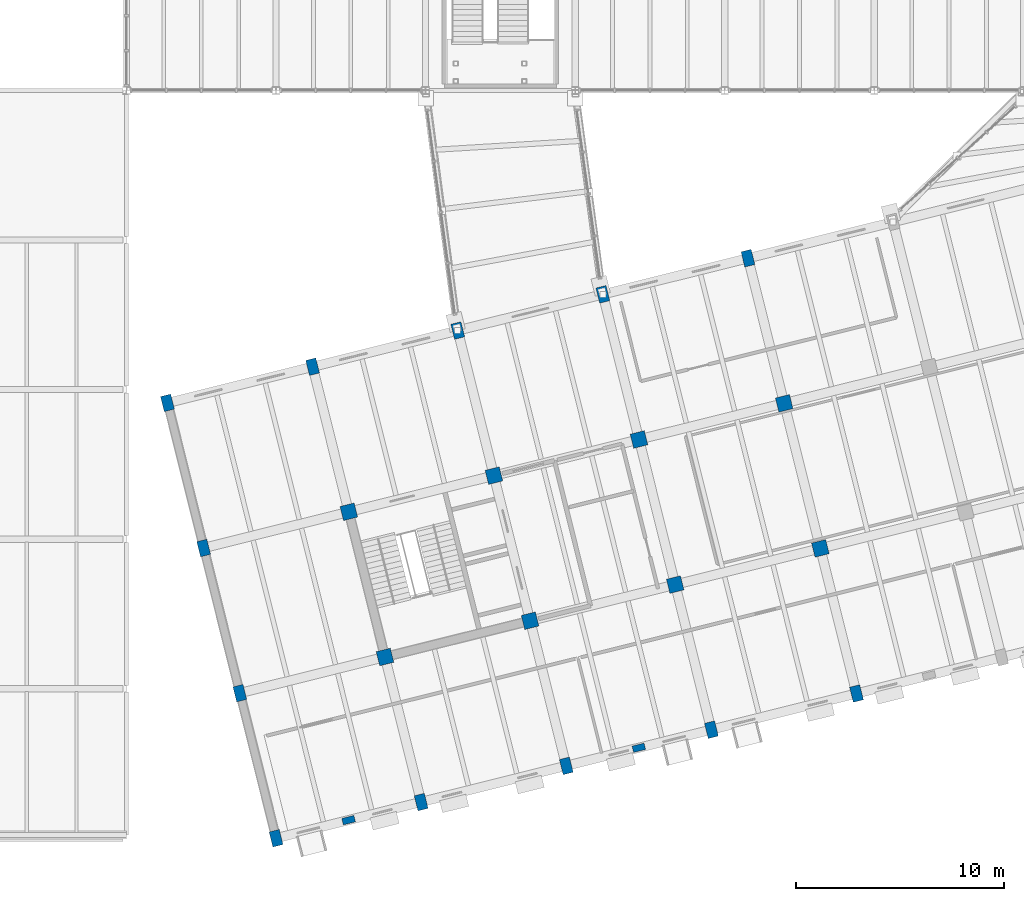
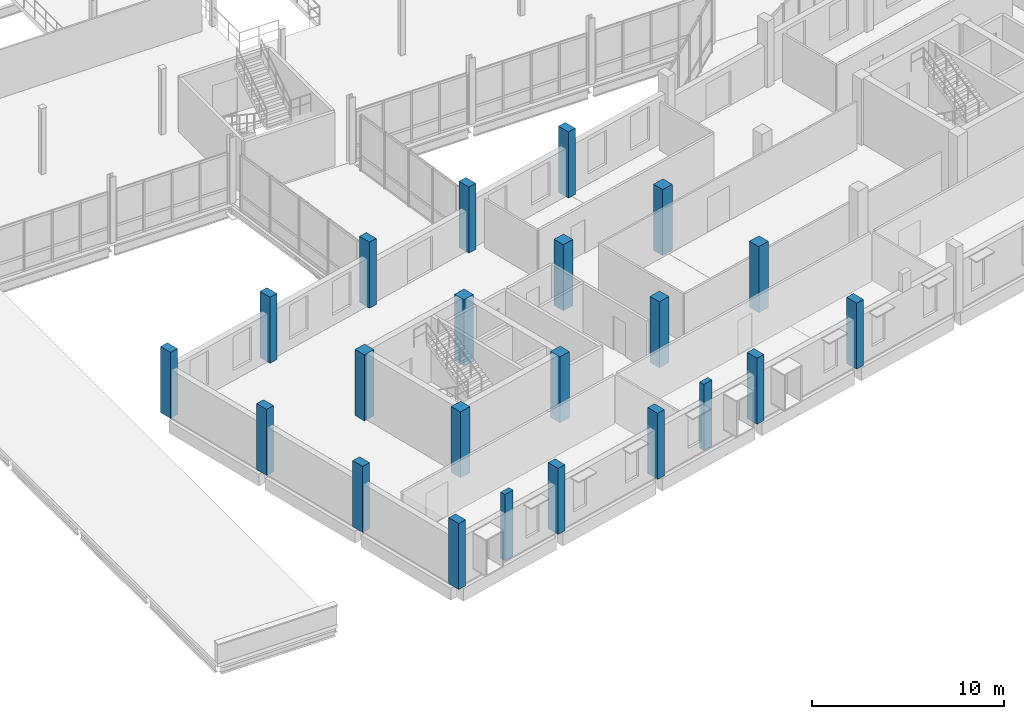
# One storey, part 1 of 72: 22 columns.
"""IFC4 building model written with IfcOpenShell, lengths in metres."""

import ifcopenshell
import ifcopenshell.guid

model = None  # the IFC model being written
_history = None  # IfcOwnerHistory: only IFC2X3 demands one
_inside = {}  # id of a spatial element -> (the spatial element, [elements in it])
_under = {}  # id of a project, library or spatial element -> (it, [spatial elements below it])
_declared = {}  # id of a project -> (the project, [libraries it declares])
_typed = {}  # id of a type object -> (the type object, [elements of that type])
_made_of = {}  # id of a material, layer set ... -> (it, [elements and type objects made of it])


def new_model(schema):
    """Start an empty IFC model of exactly this schema.

    Asked for "IFC4X3", IfcOpenShell would pick the latest addendum, in which some entities
    have other attributes; the version numbers below select the first issue.
    IFC2X3 requires an IfcOwnerHistory on every rooted entity: one is made here for all.
    """
    global model, _history
    if schema == "IFC4X3":
        model = ifcopenshell.file(schema_version=(4, 3, 0, 0))
    else:
        model = ifcopenshell.file(schema=schema)
    _inside.clear()
    _under.clear()
    _declared.clear()
    _typed.clear()
    _made_of.clear()
    _history = None
    if model.schema == "IFC2X3":
        org = make("IfcOrganization", Name="unknown")
        user = make(
            "IfcPersonAndOrganization",
            ThePerson=make("IfcPerson", FamilyName="unknown"),
            TheOrganization=org,
        )
        app = make(
            "IfcApplication",
            ApplicationDeveloper=org,
            Version="unknown",
            ApplicationFullName="unknown",
            ApplicationIdentifier="unknown",
        )
        _history = make(
            "IfcOwnerHistory",
            OwningUser=user,
            OwningApplication=app,
            ChangeAction="ADDED",
            CreationDate=0,
        )
    return model


def make(cls, **values):
    """One entity of the class cls with the attributes given. An attribute that is None is left unset."""
    return model.create_entity(
        cls, **{name: value for name, value in values.items() if value is not None}
    )


def rooted(cls, **values):
    """An entity with a GlobalId (a new one), such as an element, a storey or a relation."""
    return make(cls, GlobalId=ifcopenshell.guid.new(), OwnerHistory=_history, **values)


def si_unit(unit_type, name, prefix=None):
    """IfcSIUnit, for example si_unit("LENGTHUNIT", "METRE", prefix="MILLI")."""
    return make("IfcSIUnit", UnitType=unit_type, Prefix=prefix, Name=name)


def assignment(units):
    """IfcUnitAssignment: the units of a project."""
    return None if units is None else make("IfcUnitAssignment", Units=units)


def point(xyz):
    """IfcCartesianPoint."""
    return None if xyz is None else make("IfcCartesianPoint", Coordinates=xyz)


def direction(xyz):
    """IfcDirection."""
    return None if xyz is None else make("IfcDirection", DirectionRatios=xyz)


def frame(location, z_axis=None, x_axis=None):
    """IfcAxis2Placement3D, a coordinate frame: its origin and axes. An axis left out is left unset."""
    return make(
        "IfcAxis2Placement3D",
        Location=point(location),
        Axis=direction(z_axis),
        RefDirection=direction(x_axis),
    )


def frame_2d(location, x_axis=None):
    """IfcAxis2Placement2D, a coordinate frame in the plane: its origin and x axis."""
    return make(
        "IfcAxis2Placement2D", Location=point(location), RefDirection=direction(x_axis)
    )


def origin():
    """The frame at (0, 0, 0) with its axes left unset."""
    return frame((0.0, 0.0, 0.0))


def origin_2d():
    """The frame at (0, 0) in the plane with its x axis left unset."""
    return frame_2d((0.0, 0.0))


def place(relative_to, where):
    """IfcLocalPlacement: puts the frame where relative to a parent placement (None: the world)."""
    return make(
        "IfcLocalPlacement", PlacementRelTo=relative_to, RelativePlacement=where
    )


def context(
    kind, dimensions, precision=None, world=None, true_north=None, identifier=None
):
    """IfcGeometricRepresentationContext, for example the 3D "Model" context."""
    return make(
        "IfcGeometricRepresentationContext",
        ContextIdentifier=identifier,
        ContextType=kind,
        CoordinateSpaceDimension=dimensions,
        Precision=precision,
        WorldCoordinateSystem=world,
        TrueNorth=true_north,
    )


def subcontext(parent, identifier, kind, view, scale=None):
    """IfcGeometricRepresentationSubContext, for example "Body" below "Model"."""
    return make(
        "IfcGeometricRepresentationSubContext",
        ContextIdentifier=identifier,
        ContextType=kind,
        ParentContext=parent,
        TargetScale=scale,
        TargetView=view,
    )


def project(units=None, contexts=None):
    """IfcProject with its units and contexts."""
    return rooted(
        "IfcProject",
        Name="project",
        RepresentationContexts=contexts,
        UnitsInContext=assignment(units),
    )


def spatial(cls, under=None, at=None, **own):
    """A site, building, storey or space (cls), placed at a placement, below another one or the project."""
    s = rooted(cls, ObjectPlacement=at, **own)
    if under is not None:
        _under.setdefault(under.id(), (under, []))[1].append(s)
    return s


def profile(cls, at=None, kind="AREA", **sizes):
    """A parametric profile (cls). Its sizes go by their IFC names, for example OverallWidth=200.0."""
    return make(cls, ProfileType=kind, Position=at, **sizes)


def rectangle(**sizes):
    """IfcRectangleProfileDef."""
    return profile("IfcRectangleProfileDef", **sizes)


def extrude(swept, where, along, depth):
    """IfcExtrudedAreaSolid: the profile swept, set in the frame where, extruded along a direction by depth."""
    return make(
        "IfcExtrudedAreaSolid",
        SweptArea=swept,
        Position=where,
        ExtrudedDirection=direction(along),
        Depth=depth,
    )


def shape(context_of_items, identifier, shape_type, items):
    """IfcShapeRepresentation: the items that make up one representation, for example the "Body"."""
    return make(
        "IfcShapeRepresentation",
        ContextOfItems=context_of_items,
        RepresentationIdentifier=identifier,
        RepresentationType=shape_type,
        Items=items,
    )


def material(Name=None, Category=None):
    """IfcMaterial."""
    return make("IfcMaterial", Name=Name, Category=Category)


def material_profile(
    of_material, cross_section, Name=None, Category=None, Priority=None
):
    """IfcMaterialProfile: a cross section and its material."""
    return make(
        "IfcMaterialProfile",
        Name=Name,
        Material=of_material,
        Profile=cross_section,
        Priority=Priority,
        Category=Category,
    )


def profile_set(profiles, Name=None, composite=None):
    """IfcMaterialProfileSet."""
    return make(
        "IfcMaterialProfileSet",
        Name=Name,
        MaterialProfiles=profiles,
        CompositeProfile=composite,
    )


def made_of(thing, what):
    """Note that an element or type object is made of a material, layer set ...; save() writes the relation."""
    if what is not None:
        _made_of.setdefault(what.id(), (what, []))[1].append(thing)
    return thing


def type_object(cls, material=None, **own):
    """A type object (cls), such as IfcWallType, which elements share."""
    return made_of(rooted(cls, **own), material)


def element(
    cls,
    number,
    at=None,
    inside=None,
    cuts=None,
    type_object=None,
    material=None,
    context=None,
    identifier="Body",
    shape_type=None,
    held_by="IfcProductDefinitionShape",
    body=None,
    shapes=None,
    **own,
):
    """One element of the class cls, such as IfcWall. Its Tag is "e" and its number.

    at: its placement. inside: the storey or other place that contains it. cuts: it is an
    opening in that element (IfcRelVoidsElement). A single representation is given by context,
    identifier, shape_type and body (its items); several are given by shapes. held_by: the class
    of the entity that holds the representations. save() writes the other relations.
    """
    e = rooted(cls, Tag="e%d" % number, ObjectPlacement=at, **own)
    if body is not None:
        shapes = [shape(context, identifier, shape_type, body)]
    if shapes is not None:
        e.Representation = make(held_by, Representations=shapes)
    if inside is not None:
        _inside.setdefault(inside.id(), (inside, []))[1].append(e)
    if cuts is not None:
        rooted(
            "IfcRelVoidsElement", RelatingBuildingElement=cuts, RelatedOpeningElement=e
        )
    if type_object is not None:
        _typed.setdefault(type_object.id(), (type_object, []))[1].append(e)
    return made_of(e, material)


def aggregate(whole, parts):
    """IfcRelAggregates: a whole, such as a stair, and the parts it consists of."""
    return rooted("IfcRelAggregates", RelatingObject=whole, RelatedObjects=parts)


def save(model, path):
    """Write the relations noted so far, then the file.

    IfcRelAggregates (storeys below a building ...), IfcRelContainedInSpatialStructure (elements
    in a storey), IfcRelDefinesByType, IfcRelAssociatesMaterial and IfcRelDeclares: one each for
    every whole, place, type object, material and project.
    """
    for whole, parts in _under.values():
        aggregate(whole, parts)
    for where, things in _inside.values():
        rooted(
            "IfcRelContainedInSpatialStructure",
            RelatedElements=things,
            RelatingStructure=where,
        )
    for kind, things in _typed.values():
        rooted("IfcRelDefinesByType", RelatedObjects=things, RelatingType=kind)
    for what, things in _made_of.values():
        rooted("IfcRelAssociatesMaterial", RelatedObjects=things, RelatingMaterial=what)
    for by, libraries in _declared.values():
        rooted("IfcRelDeclares", RelatingContext=by, RelatedDefinitions=libraries)
    model.write(path)


model = new_model("IFC4")

# Units and contexts
model_context = context("Model", 3, precision=1e-05, world=origin(), true_north=direction((0.0, 1.0)))
body_context = subcontext(model_context, "Body", "Model", "MODEL_VIEW")
ifc_project = project(units=[si_unit("LENGTHUNIT", "METRE"), si_unit("AREAUNIT", "SQUARE_METRE"), si_unit("VOLUMEUNIT", "CUBIC_METRE"), si_unit("PLANEANGLEUNIT", "RADIAN"), si_unit("MASSUNIT", "GRAM", prefix="KILO")], contexts=[model_context])

# Site, building, storey
site_placement = place(None, origin())
site = spatial("IfcSite", under=ifc_project, at=site_placement, CompositionType="ELEMENT")
building_placement = place(site_placement, origin())
building = spatial("IfcBuilding", under=site, at=building_placement, Name="Qiaolan Assembly House", CompositionType="ELEMENT")
storey_placement = place(building_placement, frame((0.0, 0.0, 10.199951171875)))
storey = spatial("IfcBuildingStorey", under=building, at=storey_placement, Name="L02", CompositionType="ELEMENT", Elevation=10.199951171875)

# Columns
ifc_material_1 = material(Name="Concrete C40/50", Category="concrete")
ifc_material_profile_1 = material_profile(ifc_material_1, rectangle(XDim=0.699951171875, YDim=0.699951171875, at=origin_2d()), Name="RC 700x700")
ifc_profile_set_1 = profile_set([ifc_material_profile_1], Name="Concrete C40/50")
column_type_1 = type_object("IfcColumnType", Name="COL-RC-700", PredefinedType="COLUMN", material=ifc_profile_set_1)
for number, where, z_axis, x_axis, name in (
    (1, (41.244384765625, 8.72802734375, 0.0), (0.0, 0.0, 1.0), (0.970295726276, 0.2419218956, 0.0), "RC-07 splayed column SE L02"),
    (2, (39.50244140625, 15.714111328125, 0.0), (0.0, 0.0, 1.0), (0.970295726276, 0.2419218956, 0.0), "RC-07 splayed column SE L02"),
    (3, (48.23046875, 10.4697265625, 0.0), (0.0, 0.0, 1.0), (0.970295726276, 0.2419218956, 0.0), "RC-07 splayed column SE L02"),
    (4, (46.488525390625, 17.4560546875, 0.0), (0.0, 0.0, 1.0), (0.970295726276, 0.2419218956, 0.0), "RC-07 splayed column SE L02"),
    (5, (55.216552734375, 12.211669921875, 0.0), (0.0, 0.0, 1.0), (0.970295726276, 0.2419218956, 0.0), "RC-07 splayed column SE L02"),
    (6, (53.474609375, 19.19775390625, 0.0), (0.0, 0.0, 1.0), (0.970295726276, 0.2419218956, 0.0), "RC-07 splayed column SE L02"),
    (7, (62.20263671875, 13.953369140625, 0.0), (0.0, 0.0, 1.0), (0.970295726276, 0.2419218956, 0.0), "RC-07 splayed column SE L02"),
    (8, (60.4609375, 20.939697265625, 0.0), (0.0, 0.0, 1.0), (0.970295726276, 0.2419218956, 0.0), "RC-07 splayed column SE L02"),
):
    element("IfcColumn", number, at=place(storey_placement, frame(where, z_axis=z_axis, x_axis=x_axis)), inside=storey, type_object=column_type_1, Name=name, PredefinedType="COLUMN", context=body_context, shape_type="SweptSolid", body=[
        extrude(rectangle(XDim=0.699951171875, YDim=0.699951171875, at=origin_2d()), origin(), (0.0, 0.0, 1.0), 4.199951171875),
    ])
ifc_material_2 = material(Name="Concrete C45/55", Category="concrete")
ifc_material_profile_2 = material_profile(ifc_material_2, rectangle(XDim=0.5, YDim=0.75, at=origin_2d()), Name="RC 750x500")
ifc_profile_set_2 = profile_set([ifc_material_profile_2], Name="Concrete C45/55")
column_type_2 = type_object("IfcColumnType", Name="COL-RC-750x500", PredefinedType="COLUMN", material=ifc_profile_set_2)
for number, where, z_axis, x_axis, name in (
    (9, (36.0, 0.0, 0.0), (0.0, 0.0, 1.0), (0.970295726276, 0.2419218956, 0.0), "RC-15 splayed column SE L02"),
    (10, (34.258056640625, 6.986083984375, 0.0), (0.0, 0.0, 1.0), (0.970295726276, 0.2419218956, 0.0), "RC-15 splayed column SE L02"),
    (11, (32.516357421875, 13.97216796875, 0.0), (0.0, 0.0, 1.0), (0.970295726276, 0.2419218956, 0.0), "RC-15 splayed column SE L02"),
    (12, (30.7744140625, 20.95849609375, 0.0), (0.0, 0.0, 1.0), (0.970295726276, 0.2419218956, 0.0), "RC-15 splayed column SE L02"),
    (13, (42.986083984375, 1.741943359375, 0.0), (0.0, 0.0, 1.0), (0.970295726276, 0.2419218956, 0.0), "RC-15 splayed column SE L02"),
    (14, (37.760498046875, 22.7001953125, 0.0), (0.0, 0.0, 1.0), (0.970295726276, 0.2419218956, 0.0), "RC-15 splayed column SE L02"),
    (15, (49.97216796875, 3.483642578125, 0.0), (0.0, 0.0, 1.0), (0.970295726276, 0.2419218956, 0.0), "RC-15 splayed column SE L02"),
    (16, (44.746826171875, 24.442138671875, 0.0), (0.0, 0.0, 1.0), (0.970295726276, 0.2419218956, 0.0), "RC-15 splayed column SE L02"),
    (17, (56.95849609375, 5.2255859375, 0.0), (0.0, 0.0, 1.0), (0.970295726276, 0.2419218956, 0.0), "RC-15 splayed column SE L02"),
    (18, (51.73291015625, 26.183837890625, 0.0), (0.0, 0.0, 1.0), (0.970295726276, 0.2419218956, 0.0), "RC-15 splayed column SE L02"),
    (19, (63.944580078125, 6.96728515625, 0.0), (0.0, 0.0, 1.0), (0.970295726276, 0.2419218956, 0.0), "RC-15 splayed column SE L02"),
    (20, (58.718994140625, 27.92578125, 0.0), (0.0, 0.0, 1.0), (0.970295726276, 0.2419218956, 0.0), "RC-15 splayed column SE L02"),
):
    element("IfcColumn", number, at=place(storey_placement, frame(where, z_axis=z_axis, x_axis=x_axis)), inside=storey, type_object=column_type_2, Name=name, PredefinedType="COLUMN", context=body_context, shape_type="SweptSolid", body=[
        extrude(rectangle(XDim=0.5, YDim=0.75, at=origin_2d()), origin(), (0.0, 0.0, 1.0), 4.199951171875),
    ])
ifc_material_3 = material(Name="Precast concrete C45/55", Category="concrete")
ifc_material_profile_3 = material_profile(ifc_material_3, rectangle(XDim=0.60009765625, YDim=0.320068359375, at=origin_2d()), Name="PIL 600x320")
ifc_profile_set_3 = profile_set([ifc_material_profile_3], Name="Precast concrete C45/55")
column_type_3 = type_object("IfcColumnType", Name="PIL-SE-600x320", PredefinedType="PILASTER", material=ifc_profile_set_3)
for number, where, z_axis, x_axis, name in (
    (21, (39.4931640625, 0.870849609375, 0.0), (0.0, 0.0, 1.0), (0.970295726276, 0.2419218956, 0.0), "PL-03 boulevard pilaster SE L02"),
    (22, (53.46533203125, 4.3544921875, 0.0), (0.0, 0.0, 1.0), (0.970295726276, 0.2419218956, 0.0), "PL-03 boulevard pilaster SE L02"),
):
    element("IfcColumn", number, at=place(storey_placement, frame(where, z_axis=z_axis, x_axis=x_axis)), inside=storey, type_object=column_type_3, Name=name, PredefinedType="PILASTER", context=body_context, shape_type="SweptSolid", body=[
        extrude(rectangle(XDim=0.60009765625, YDim=0.320068359375, at=origin_2d()), origin(), (0.0, 0.0, 1.0), 4.199951171875),
    ])

save(model, "model.ifc")
